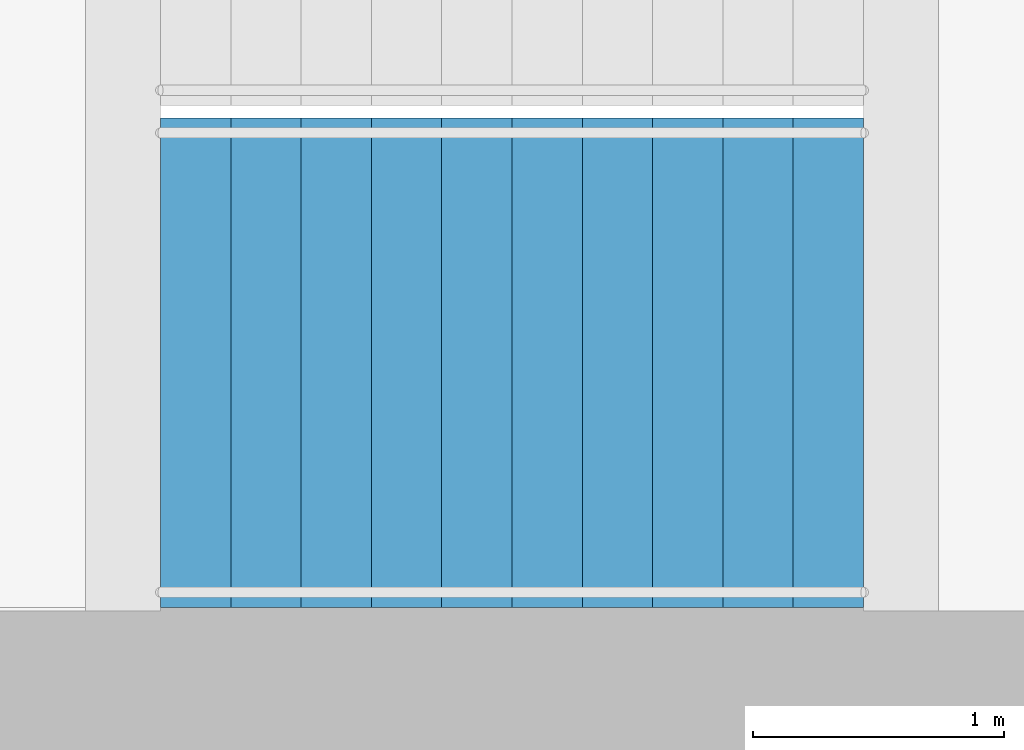
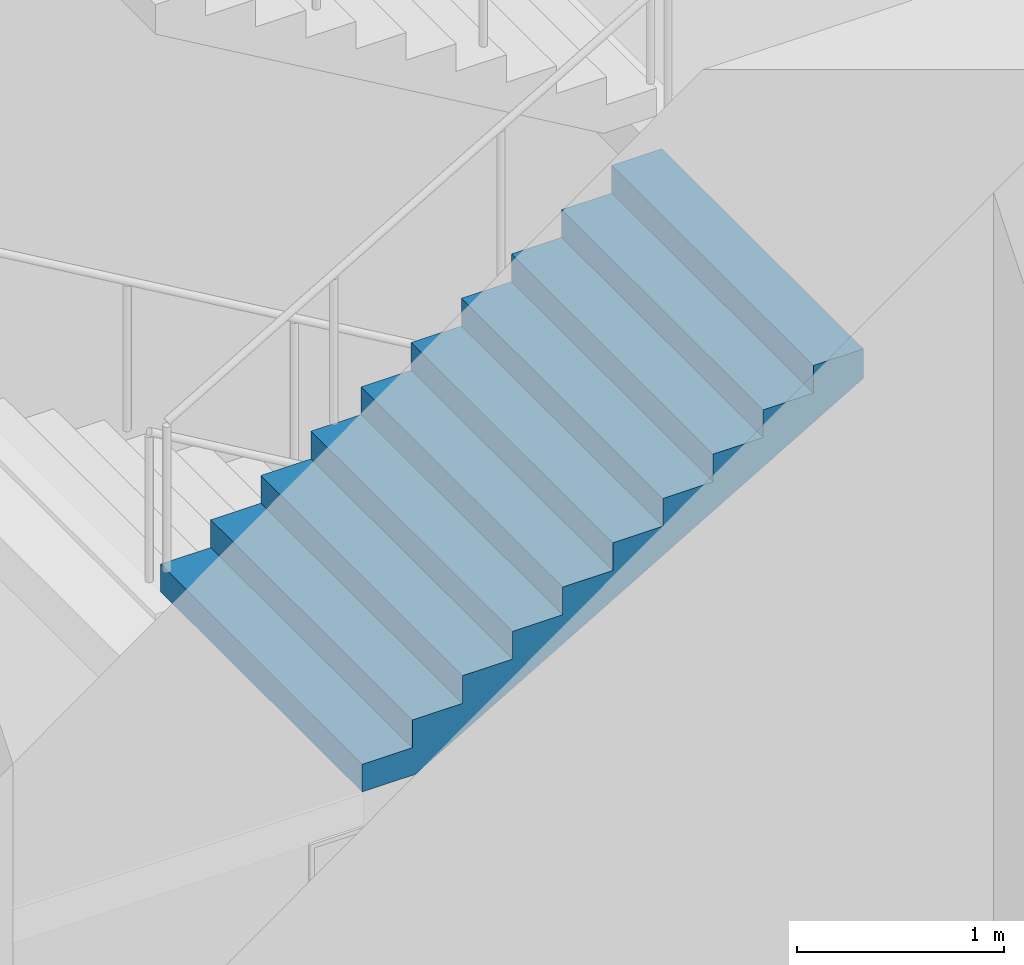
# One storey, part 17 of 24: 1 stair flight, 1 element without a shape of its own.
"""IFC4 building model written with IfcOpenShell, lengths in metres."""

from ifc_helpers import new_model, si_unit, direction, frame, origin, place, context, subcontext, project, spatial, triangles, material, type_object, element, aggregate, save


model = new_model("IFC4")

# Units and contexts
model_context = context("Model", 3, precision=1e-05, world=origin(), true_north=direction((0.0, 1.0)))
body_context = subcontext(model_context, "Body", "Model", "MODEL_VIEW")
ifc_project = project(units=[si_unit("LENGTHUNIT", "METRE"), si_unit("AREAUNIT", "SQUARE_METRE"), si_unit("VOLUMEUNIT", "CUBIC_METRE"), si_unit("PLANEANGLEUNIT", "RADIAN"), si_unit("MASSUNIT", "GRAM", prefix="KILO")], contexts=[model_context])

# Site, building, storey
site_placement = place(None, origin())
site = spatial("IfcSite", under=ifc_project, at=site_placement, CompositionType="ELEMENT")
building_placement = place(site_placement, origin())
building = spatial("IfcBuilding", under=site, at=building_placement, Name="Orbita Commons", CompositionType="ELEMENT")
storey_placement = place(building_placement, frame((0.0, 0.0, 68.949951171875)))
storey = spatial("IfcBuildingStorey", under=building, at=storey_placement, Name="L17", CompositionType="ELEMENT", Elevation=68.949951171875)

# Stair, stair flight
ifc_material_1 = material(Name="Precast concrete C40/50", Category="concrete")
stair_type = type_object("IfcStairType", Name="Exit stair S1 4 flights 11 risers 164", PredefinedType="HALF_TURN_STAIR", material=ifc_material_1)
stair_placement = place(storey_placement, origin())
stair = element("IfcStair", 1, at=stair_placement, inside=storey, type_object=stair_type, Name="Exit stair S1 L17", PredefinedType="HALF_TURN_STAIR")
ifc_material_2 = material(Name="Precast concrete C40/50", Category="concrete")
stair_flight_type = type_object("IfcStairFlightType", Name="Stair flight 11 risers 164 x 280", PredefinedType="STRAIGHT", material=ifc_material_2)
stair_flight_placement = place(storey_placement, frame((20.449951171875, 27.27490234375, 3.60009765625), z_axis=(0.0, 0.0, 1.0), x_axis=(1.0, 0.0, 0.0)))
stair_flight = element("IfcStairFlight", 2, at=stair_flight_placement, type_object=stair_flight_type, Name="S1 flight 3", NumberOfRisers=11, NumberOfTreads=10, PredefinedType="STRAIGHT", RiserHeight=0.163636364, TreadLength=0.28, context=body_context, shape_type="Tessellation", body=[
    triangles([(0.0, 0.974976, 0.0), (0.0, 0.974976, 0.020455), (0.0, 0.81248, 0.020455), (0.0, 0.81248, 0.0), (0.0, 0.649984, 0.020455), (0.0, 0.649984, 0.0), (0.0, 0.487488, 0.020455), (0.0, 0.487488, 0.0), (0.0, 0.324992, 0.020455), (0.0, 0.324992, 0.0), (0.0, 0.162496, 0.020455), (0.0, 0.162496, 0.0), (0.0, 0.0, 0.020455), (0.0, 0.0, 0.0), (0.0, -0.162496, 0.020455), (0.0, -0.162496, 0.0), (0.0, -0.324992, 0.020455), (0.0, -0.324992, 0.0), (0.0, -0.487488, 0.020455), (0.0, -0.487488, 0.0), (0.0, -0.649984, 0.020455), (0.0, -0.649984, 0.0), (0.0, -0.81248, 0.020455), (0.0, -0.81248, 0.0), (0.0, -0.974976, 0.020455), (0.0, -0.974976, 0.0), (0.0, 0.974976, 0.040909), (0.0, 0.81248, 0.040909), (0.0, 0.649984, 0.040909), (0.0, 0.487488, 0.040909), (0.0, 0.324992, 0.040909), (0.0, 0.162496, 0.040909), (0.0, 0.0, 0.040909), (0.0, -0.162496, 0.040909), (0.0, -0.324992, 0.040909), (0.0, -0.487488, 0.040909), (0.0, -0.649984, 0.040909), (0.0, -0.81248, 0.040909), (0.0, -0.974976, 0.040909), (0.0, 0.974976, 0.061364), (0.0, 0.81248, 0.061364), (0.0, 0.649984, 0.061364), (0.0, 0.487488, 0.061364), (0.0, 0.324992, 0.061364), (0.0, 0.162496, 0.061364), (0.0, 0.0, 0.061364), (0.0, -0.162496, 0.061364), (0.0, -0.324992, 0.061364), (0.0, -0.487488, 0.061364), (0.0, -0.649984, 0.061364), (0.0, -0.81248, 0.061364), (0.0, -0.974976, 0.061364), (0.0, 0.974976, 0.081818), (0.0, 0.81248, 0.081818), (0.0, 0.649984, 0.081818), (0.0, 0.487488, 0.081818), (0.0, 0.324992, 0.081818), (0.0, 0.162496, 0.081818), (0.0, 0.0, 0.081818), (0.0, -0.162496, 0.081818), (0.0, -0.324992, 0.081818), (0.0, -0.487488, 0.081818), (0.0, -0.649984, 0.081818), (0.0, -0.81248, 0.081818), (0.0, -0.974976, 0.081818), (0.0, 0.974976, 0.102273), (0.0, 0.81248, 0.102273), (0.0, 0.649984, 0.102273), (0.0, 0.487488, 0.102273), (0.0, 0.324992, 0.102273), (0.0, 0.162496, 0.102273), (0.0, 0.0, 0.102273), (0.0, -0.162496, 0.102273), (0.0, -0.324992, 0.102273), (0.0, -0.487488, 0.102273), (0.0, -0.649984, 0.102273), (0.0, -0.81248, 0.102273), (0.0, -0.974976, 0.102273), (0.0, 0.974976, 0.122727), (0.0, 0.81248, 0.122727), (0.0, 0.649984, 0.122727), (0.0, 0.487488, 0.122727), (0.0, 0.324992, 0.122727), (0.0, 0.162496, 0.122727), (0.0, 0.0, 0.122727), (0.0, -0.162496, 0.122727), (0.0, -0.324992, 0.122727), (0.0, -0.487488, 0.122727), (0.0, -0.649984, 0.122727), (0.0, -0.81248, 0.122727), (0.0, -0.974976, 0.122727), (0.0, 0.974976, 0.143182), (0.0, 0.81248, 0.143182), (0.0, 0.649984, 0.143182), (0.0, 0.487488, 0.143182), (0.0, 0.324992, 0.143182), (0.0, 0.162496, 0.143182), (0.0, 0.0, 0.143182), (0.0, -0.162496, 0.143182), (0.0, -0.324992, 0.143182), (0.0, -0.487488, 0.143182), (0.0, -0.649984, 0.143182), (0.0, -0.81248, 0.143182), (0.0, -0.974976, 0.143182), (0.0, 0.974976, 0.163636), (0.0, 0.81248, 0.163636), (0.0, 0.649984, 0.163636), (0.0, 0.487488, 0.163636), (0.0, 0.324992, 0.163636), (0.0, 0.162496, 0.163636), (0.0, 0.0, 0.163636), (0.0, -0.162496, 0.163636), (0.0, -0.324992, 0.163636), (0.0, -0.487488, 0.163636), (0.0, -0.649984, 0.163636), (0.0, -0.81248, 0.163636), (0.0, -0.974976, 0.163636), (0.28, 0.974976, 0.163636), (0.28, 0.81248, 0.163636), (0.28, 0.649984, 0.163636), (0.28, 0.487488, 0.163636), (0.28, 0.324992, 0.163636), (0.28, 0.162496, 0.163636), (0.28, 0.0, 0.163636), (0.28, -0.162496, 0.163636), (0.28, -0.324992, 0.163636), (0.28, -0.487488, 0.163636), (0.28, -0.649984, 0.163636), (0.28, -0.81248, 0.163636), (0.28, -0.974976, 0.163636), (0.28, 0.974976, 0.327273), (0.28, 0.81248, 0.327273), (0.28, 0.649984, 0.327273), (0.28, 0.487488, 0.327273), (0.28, 0.324992, 0.327273), (0.28, 0.162496, 0.327273), (0.28, 0.0, 0.327273), (0.28, -0.162496, 0.327273), (0.28, -0.324992, 0.327273), (0.28, -0.487488, 0.327273), (0.28, -0.649984, 0.327273), (0.28, -0.81248, 0.327273), (0.28, -0.974976, 0.327273), (0.56, 0.974976, 0.327273), (0.56, 0.81248, 0.327273), (0.56, 0.649984, 0.327273), (0.56, 0.487488, 0.327273), (0.56, 0.324992, 0.327273), (0.56, 0.162496, 0.327273), (0.56, 0.0, 0.327273), (0.56, -0.162496, 0.327273), (0.56, -0.324992, 0.327273), (0.56, -0.487488, 0.327273), (0.56, -0.649984, 0.327273), (0.56, -0.81248, 0.327273), (0.56, -0.974976, 0.327273), (0.56, 0.974976, 0.490909), (0.56, 0.81248, 0.490909), (0.56, 0.649984, 0.490909), (0.56, 0.487488, 0.490909), (0.56, 0.324992, 0.490909), (0.56, 0.162496, 0.490909), (0.56, 0.0, 0.490909), (0.56, -0.162496, 0.490909), (0.56, -0.324992, 0.490909), (0.56, -0.487488, 0.490909), (0.56, -0.649984, 0.490909), (0.56, -0.81248, 0.490909), (0.56, -0.974976, 0.490909), (0.84, 0.974976, 0.490909), (0.84, 0.81248, 0.490909), (0.84, 0.649984, 0.490909), (0.84, 0.487488, 0.490909), (0.84, 0.324992, 0.490909), (0.84, 0.162496, 0.490909), (0.84, 0.0, 0.490909), (0.84, -0.162496, 0.490909), (0.84, -0.324992, 0.490909), (0.84, -0.487488, 0.490909), (0.84, -0.649984, 0.490909), (0.84, -0.81248, 0.490909), (0.84, -0.974976, 0.490909), (0.84, 0.974976, 0.654545), (0.84, 0.81248, 0.654545), (0.84, 0.649984, 0.654545), (0.84, 0.487488, 0.654545), (0.84, 0.324992, 0.654545), (0.84, 0.162496, 0.654545), (0.84, 0.0, 0.654545), (0.84, -0.162496, 0.654545), (0.84, -0.324992, 0.654545), (0.84, -0.487488, 0.654545), (0.84, -0.649984, 0.654545), (0.84, -0.81248, 0.654545), (0.84, -0.974976, 0.654545), (1.12, 0.974976, 0.654545), (1.12, 0.81248, 0.654545), (1.12, 0.649984, 0.654545), (1.12, 0.487488, 0.654545), (1.12, 0.324992, 0.654545), (1.12, 0.162496, 0.654545), (1.12, 0.0, 0.654545), (1.12, -0.162496, 0.654545), (1.12, -0.324992, 0.654545), (1.12, -0.487488, 0.654545), (1.12, -0.649984, 0.654545), (1.12, -0.81248, 0.654545), (1.12, -0.974976, 0.654545), (1.12, 0.974976, 0.818182), (1.12, 0.81248, 0.818182), (1.12, 0.649984, 0.818182), (1.12, 0.487488, 0.818182), (1.12, 0.324992, 0.818182), (1.12, 0.162496, 0.818182), (1.12, 0.0, 0.818182), (1.12, -0.162496, 0.818182), (1.12, -0.324992, 0.818182), (1.12, -0.487488, 0.818182), (1.12, -0.649984, 0.818182), (1.12, -0.81248, 0.818182), (1.12, -0.974976, 0.818182), (1.4, 0.974976, 0.818182), (1.4, 0.81248, 0.818182), (1.4, 0.649984, 0.818182), (1.4, 0.487488, 0.818182), (1.4, 0.324992, 0.818182), (1.4, 0.162496, 0.818182), (1.4, 0.0, 0.818182), (1.4, -0.162496, 0.818182), (1.4, -0.324992, 0.818182), (1.4, -0.487488, 0.818182), (1.4, -0.649984, 0.818182), (1.4, -0.81248, 0.818182), (1.4, -0.974976, 0.818182), (1.4, 0.974976, 0.981818), (1.4, 0.81248, 0.981818), (1.4, 0.649984, 0.981818), (1.4, 0.487488, 0.981818), (1.4, 0.324992, 0.981818), (1.4, 0.162496, 0.981818), (1.4, 0.0, 0.981818), (1.4, -0.162496, 0.981818), (1.4, -0.324992, 0.981818), (1.4, -0.487488, 0.981818), (1.4, -0.649984, 0.981818), (1.4, -0.81248, 0.981818), (1.4, -0.974976, 0.981818), (1.68, 0.974976, 0.981818), (1.68, 0.81248, 0.981818), (1.68, 0.649984, 0.981818), (1.68, 0.487488, 0.981818), (1.68, 0.324992, 0.981818), (1.68, 0.162496, 0.981818), (1.68, 0.0, 0.981818), (1.68, -0.162496, 0.981818), (1.68, -0.324992, 0.981818), (1.68, -0.487488, 0.981818), (1.68, -0.649984, 0.981818), (1.68, -0.81248, 0.981818), (1.68, -0.974976, 0.981818), (1.68, 0.974976, 1.145455), (1.68, 0.81248, 1.145455), (1.68, 0.649984, 1.145455), (1.68, 0.487488, 1.145455), (1.68, 0.324992, 1.145455), (1.68, 0.162496, 1.145455), (1.68, 0.0, 1.145455), (1.68, -0.162496, 1.145455), (1.68, -0.324992, 1.145455), (1.68, -0.487488, 1.145455), (1.68, -0.649984, 1.145455), (1.68, -0.81248, 1.145455), (1.68, -0.974976, 1.145455), (1.96, 0.974976, 1.145455), (1.96, 0.81248, 1.145455), (1.96, 0.649984, 1.145455), (1.96, 0.487488, 1.145455), (1.96, 0.324992, 1.145455), (1.96, 0.162496, 1.145455), (1.96, 0.0, 1.145455), (1.96, -0.162496, 1.145455), (1.96, -0.324992, 1.145455), (1.96, -0.487488, 1.145455), (1.96, -0.649984, 1.145455), (1.96, -0.81248, 1.145455), (1.96, -0.974976, 1.145455), (1.96, 0.974976, 1.309091), (1.96, 0.81248, 1.309091), (1.96, 0.649984, 1.309091), (1.96, 0.487488, 1.309091), (1.96, 0.324992, 1.309091), (1.96, 0.162496, 1.309091), (1.96, 0.0, 1.309091), (1.96, -0.162496, 1.309091), (1.96, -0.324992, 1.309091), (1.96, -0.487488, 1.309091), (1.96, -0.649984, 1.309091), (1.96, -0.81248, 1.309091), (1.96, -0.974976, 1.309091), (2.24, 0.974976, 1.309091), (2.24, 0.81248, 1.309091), (2.24, 0.649984, 1.309091), (2.24, 0.487488, 1.309091), (2.24, 0.324992, 1.309091), (2.24, 0.162496, 1.309091), (2.24, 0.0, 1.309091), (2.24, -0.162496, 1.309091), (2.24, -0.324992, 1.309091), (2.24, -0.487488, 1.309091), (2.24, -0.649984, 1.309091), (2.24, -0.81248, 1.309091), (2.24, -0.974976, 1.309091), (2.24, 0.974976, 1.472727), (2.24, 0.81248, 1.472727), (2.24, 0.649984, 1.472727), (2.24, 0.487488, 1.472727), (2.24, 0.324992, 1.472727), (2.24, 0.162496, 1.472727), (2.24, 0.0, 1.472727), (2.24, -0.162496, 1.472727), (2.24, -0.324992, 1.472727), (2.24, -0.487488, 1.472727), (2.24, -0.649984, 1.472727), (2.24, -0.81248, 1.472727), (2.24, -0.974976, 1.472727), (2.52, 0.974976, 1.472727), (2.52, 0.81248, 1.472727), (2.52, 0.649984, 1.472727), (2.52, 0.487488, 1.472727), (2.52, 0.324992, 1.472727), (2.52, 0.162496, 1.472727), (2.52, 0.0, 1.472727), (2.52, -0.162496, 1.472727), (2.52, -0.324992, 1.472727), (2.52, -0.487488, 1.472727), (2.52, -0.649984, 1.472727), (2.52, -0.81248, 1.472727), (2.52, -0.974976, 1.472727), (2.52, 0.974976, 1.636364), (2.52, 0.81248, 1.636364), (2.52, 0.649984, 1.636364), (2.52, 0.487488, 1.636364), (2.52, 0.324992, 1.636364), (2.52, 0.162496, 1.636364), (2.52, 0.0, 1.636364), (2.52, -0.162496, 1.636364), (2.52, -0.324992, 1.636364), (2.52, -0.487488, 1.636364), (2.52, -0.649984, 1.636364), (2.52, -0.81248, 1.636364), (2.52, -0.974976, 1.636364), (2.8, 0.974976, 1.636364), (2.8, 0.81248, 1.636364), (2.8, 0.649984, 1.636364), (2.8, 0.487488, 1.636364), (2.8, 0.324992, 1.636364), (2.8, 0.162496, 1.636364), (2.8, 0.0, 1.636364), (2.8, -0.162496, 1.636364), (2.8, -0.324992, 1.636364), (2.8, -0.487488, 1.636364), (2.8, -0.649984, 1.636364), (2.8, -0.81248, 1.636364), (2.8, -0.974976, 1.636364), (2.8, 0.974976, 1.614661), (2.8, 0.81248, 1.614661), (2.8, 0.649984, 1.614661), (2.8, 0.487488, 1.614661), (2.8, 0.324992, 1.614661), (2.8, 0.162496, 1.614661), (2.8, 0.0, 1.614661), (2.8, -0.162496, 1.614661), (2.8, -0.324992, 1.614661), (2.8, -0.487488, 1.614661), (2.8, -0.649984, 1.614661), (2.8, -0.81248, 1.614661), (2.8, -0.974976, 1.614661), (2.8, 0.974976, 1.592958), (2.8, 0.81248, 1.592958), (2.8, 0.649984, 1.592958), (2.8, 0.487488, 1.592958), (2.8, 0.324992, 1.592958), (2.8, 0.162496, 1.592958), (2.8, 0.0, 1.592958), (2.8, -0.162496, 1.592958), (2.8, -0.324992, 1.592958), (2.8, -0.487488, 1.592958), (2.8, -0.649984, 1.592958), (2.8, -0.81248, 1.592958), (2.8, -0.974976, 1.592958), (2.8, 0.974976, 1.571255), (2.8, 0.81248, 1.571255), (2.8, 0.649984, 1.571255), (2.8, 0.487488, 1.571255), (2.8, 0.324992, 1.571255), (2.8, 0.162496, 1.571255), (2.8, 0.0, 1.571255), (2.8, -0.162496, 1.571255), (2.8, -0.324992, 1.571255), (2.8, -0.487488, 1.571255), (2.8, -0.649984, 1.571255), (2.8, -0.81248, 1.571255), (2.8, -0.974976, 1.571255), (2.8, 0.974976, 1.549551), (2.8, 0.81248, 1.549551), (2.8, 0.649984, 1.549551), (2.8, 0.487488, 1.549551), (2.8, 0.324992, 1.549551), (2.8, 0.162496, 1.549551), (2.8, 0.0, 1.549551), (2.8, -0.162496, 1.549551), (2.8, -0.324992, 1.549551), (2.8, -0.487488, 1.549551), (2.8, -0.649984, 1.549551), (2.8, -0.81248, 1.549551), (2.8, -0.974976, 1.549551), (2.8, 0.974976, 1.527848), (2.8, 0.81248, 1.527848), (2.8, 0.649984, 1.527848), (2.8, 0.487488, 1.527848), (2.8, 0.324992, 1.527848), (2.8, 0.162496, 1.527848), (2.8, 0.0, 1.527848), (2.8, -0.162496, 1.527848), (2.8, -0.324992, 1.527848), (2.8, -0.487488, 1.527848), (2.8, -0.649984, 1.527848), (2.8, -0.81248, 1.527848), (2.8, -0.974976, 1.527848), (2.8, 0.974976, 1.506145), (2.8, 0.81248, 1.506145), (2.8, 0.649984, 1.506145), (2.8, 0.487488, 1.506145), (2.8, 0.324992, 1.506145), (2.8, 0.162496, 1.506145), (2.8, 0.0, 1.506145), (2.8, -0.162496, 1.506145), (2.8, -0.324992, 1.506145), (2.8, -0.487488, 1.506145), (2.8, -0.649984, 1.506145), (2.8, -0.81248, 1.506145), (2.8, -0.974976, 1.506145), (2.8, 0.974976, 1.484442), (2.8, 0.81248, 1.484442), (2.8, 0.649984, 1.484442), (2.8, 0.487488, 1.484442), (2.8, 0.324992, 1.484442), (2.8, 0.162496, 1.484442), (2.8, 0.0, 1.484442), (2.8, -0.162496, 1.484442), (2.8, -0.324992, 1.484442), (2.8, -0.487488, 1.484442), (2.8, -0.649984, 1.484442), (2.8, -0.81248, 1.484442), (2.8, -0.974976, 1.484442), (2.8, 0.974976, 1.462739), (2.8, 0.81248, 1.462739), (2.8, 0.649984, 1.462739), (2.8, 0.487488, 1.462739), (2.8, 0.324992, 1.462739), (2.8, 0.162496, 1.462739), (2.8, 0.0, 1.462739), (2.8, -0.162496, 1.462739), (2.8, -0.324992, 1.462739), (2.8, -0.487488, 1.462739), (2.8, -0.649984, 1.462739), (2.8, -0.81248, 1.462739), (2.8, -0.974976, 1.462739), (0.29709, 0.974976, 0.0), (0.29709, 0.81248, 0.0), (0.29709, 0.649984, 0.0), (0.29709, 0.487488, 0.0), (0.29709, 0.324992, 0.0), (0.29709, 0.162496, 0.0), (0.29709, 0.0, 0.0), (0.29709, -0.162496, 0.0), (0.29709, -0.324992, 0.0), (0.29709, -0.487488, 0.0), (0.29709, -0.649984, 0.0), (0.29709, -0.81248, 0.0), (0.29709, -0.974976, 0.0)], [[3, 2, 1], [4, 3, 1], [5, 3, 4], [6, 5, 4], [7, 5, 6], [8, 7, 6], [9, 7, 8], [10, 9, 8], [11, 9, 10], [12, 11, 10], [13, 11, 12], [14, 13, 12], [15, 13, 14], [16, 15, 14], [17, 15, 16], [18, 17, 16], [19, 17, 18], [20, 19, 18], [21, 19, 20], [22, 21, 20], [23, 21, 22], [24, 23, 22], [25, 23, 24], [26, 25, 24], [28, 27, 2], [3, 28, 2], [29, 28, 3], [5, 29, 3], [30, 29, 5], [7, 30, 5], [31, 30, 7], [9, 31, 7], [32, 31, 9], [11, 32, 9], [33, 32, 11], [13, 33, 11], [34, 33, 13], [15, 34, 13], [35, 34, 15], [17, 35, 15], [36, 35, 17], [19, 36, 17], [37, 36, 19], [21, 37, 19], [38, 37, 21], [23, 38, 21], [39, 38, 23], [25, 39, 23], [41, 40, 27], [28, 41, 27], [42, 41, 28], [29, 42, 28], [43, 42, 29], [30, 43, 29], [44, 43, 30], [31, 44, 30], [45, 44, 31], [32, 45, 31], [46, 45, 32], [33, 46, 32], [47, 46, 33], [34, 47, 33], [48, 47, 34], [35, 48, 34], [49, 48, 35], [36, 49, 35], [50, 49, 36], [37, 50, 36], [51, 50, 37], [38, 51, 37], [52, 51, 38], [39, 52, 38], [54, 53, 40], [41, 54, 40], [55, 54, 41], [42, 55, 41], [56, 55, 42], [43, 56, 42], [57, 56, 43], [44, 57, 43], [58, 57, 44], [45, 58, 44], [59, 58, 45], [46, 59, 45], [60, 59, 46], [47, 60, 46], [61, 60, 47], [48, 61, 47], [62, 61, 48], [49, 62, 48], [63, 62, 49], [50, 63, 49], [64, 63, 50], [51, 64, 50], [65, 64, 51], [52, 65, 51], [67, 66, 53], [54, 67, 53], [68, 67, 54], [55, 68, 54], [69, 68, 55], [56, 69, 55], [70, 69, 56], [57, 70, 56], [71, 70, 57], [58, 71, 57], [72, 71, 58], [59, 72, 58], [73, 72, 59], [60, 73, 59], [74, 73, 60], [61, 74, 60], [75, 74, 61], [62, 75, 61], [76, 75, 62], [63, 76, 62], [77, 76, 63], [64, 77, 63], [78, 77, 64], [65, 78, 64], [80, 79, 66], [67, 80, 66], [81, 80, 67], [68, 81, 67], [82, 81, 68], [69, 82, 68], [83, 82, 69], [70, 83, 69], [84, 83, 70], [71, 84, 70], [85, 84, 71], [72, 85, 71], [86, 85, 72], [73, 86, 72], [87, 86, 73], [74, 87, 73], [88, 87, 74], [75, 88, 74], [89, 88, 75], [76, 89, 75], [90, 89, 76], [77, 90, 76], [91, 90, 77], [78, 91, 77], [93, 92, 79], [80, 93, 79], [94, 93, 80], [81, 94, 80], [95, 94, 81], [82, 95, 81], [96, 95, 82], [83, 96, 82], [97, 96, 83], [84, 97, 83], [98, 97, 84], [85, 98, 84], [99, 98, 85], [86, 99, 85], [100, 99, 86], [87, 100, 86], [101, 100, 87], [88, 101, 87], [102, 101, 88], [89, 102, 88], [103, 102, 89], [90, 103, 89], [104, 103, 90], [91, 104, 90], [106, 105, 92], [93, 106, 92], [107, 106, 93], [94, 107, 93], [108, 107, 94], [95, 108, 94], [109, 108, 95], [96, 109, 95], [110, 109, 96], [97, 110, 96], [111, 110, 97], [98, 111, 97], [112, 111, 98], [99, 112, 98], [113, 112, 99], [100, 113, 99], [114, 113, 100], [101, 114, 100], [115, 114, 101], [102, 115, 101], [116, 115, 102], [103, 116, 102], [117, 116, 103], [104, 117, 103], [119, 118, 105], [106, 119, 105], [120, 119, 106], [107, 120, 106], [121, 120, 107], [108, 121, 107], [122, 121, 108], [109, 122, 108], [123, 122, 109], [110, 123, 109], [124, 123, 110], [111, 124, 110], [125, 124, 111], [112, 125, 111], [126, 125, 112], [113, 126, 112], [127, 126, 113], [114, 127, 113], [128, 127, 114], [115, 128, 114], [129, 128, 115], [116, 129, 115], [130, 129, 116], [117, 130, 116], [132, 131, 118], [119, 132, 118], [133, 132, 119], [120, 133, 119], [134, 133, 120], [121, 134, 120], [135, 134, 121], [122, 135, 121], [136, 135, 122], [123, 136, 122], [137, 136, 123], [124, 137, 123], [138, 137, 124], [125, 138, 124], [139, 138, 125], [126, 139, 125], [140, 139, 126], [127, 140, 126], [141, 140, 127], [128, 141, 127], [142, 141, 128], [129, 142, 128], [143, 142, 129], [130, 143, 129], [145, 144, 131], [132, 145, 131], [146, 145, 132], [133, 146, 132], [147, 146, 133], [134, 147, 133], [148, 147, 134], [135, 148, 134], [149, 148, 135], [136, 149, 135], [150, 149, 136], [137, 150, 136], [151, 150, 137], [138, 151, 137], [152, 151, 138], [139, 152, 138], [153, 152, 139], [140, 153, 139], [154, 153, 140], [141, 154, 140], [155, 154, 141], [142, 155, 141], [156, 155, 142], [143, 156, 142], [158, 157, 144], [145, 158, 144], [159, 158, 145], [146, 159, 145], [160, 159, 146], [147, 160, 146], [161, 160, 147], [148, 161, 147], [162, 161, 148], [149, 162, 148], [163, 162, 149], [150, 163, 149], [164, 163, 150], [151, 164, 150], [165, 164, 151], [152, 165, 151], [166, 165, 152], [153, 166, 152], [167, 166, 153], [154, 167, 153], [168, 167, 154], [155, 168, 154], [169, 168, 155], [156, 169, 155], [171, 170, 157], [158, 171, 157], [172, 171, 158], [159, 172, 158], [173, 172, 159], [160, 173, 159], [174, 173, 160], [161, 174, 160], [175, 174, 161], [162, 175, 161], [176, 175, 162], [163, 176, 162], [177, 176, 163], [164, 177, 163], [178, 177, 164], [165, 178, 164], [179, 178, 165], [166, 179, 165], [180, 179, 166], [167, 180, 166], [181, 180, 167], [168, 181, 167], [182, 181, 168], [169, 182, 168], [184, 183, 170], [171, 184, 170], [185, 184, 171], [172, 185, 171], [186, 185, 172], [173, 186, 172], [187, 186, 173], [174, 187, 173], [188, 187, 174], [175, 188, 174], [189, 188, 175], [176, 189, 175], [190, 189, 176], [177, 190, 176], [191, 190, 177], [178, 191, 177], [192, 191, 178], [179, 192, 178], [193, 192, 179], [180, 193, 179], [194, 193, 180], [181, 194, 180], [195, 194, 181], [182, 195, 181], [197, 196, 183], [184, 197, 183], [198, 197, 184], [185, 198, 184], [199, 198, 185], [186, 199, 185], [200, 199, 186], [187, 200, 186], [201, 200, 187], [188, 201, 187], [202, 201, 188], [189, 202, 188], [203, 202, 189], [190, 203, 189], [204, 203, 190], [191, 204, 190], [205, 204, 191], [192, 205, 191], [206, 205, 192], [193, 206, 192], [207, 206, 193], [194, 207, 193], [208, 207, 194], [195, 208, 194], [210, 209, 196], [197, 210, 196], [211, 210, 197], [198, 211, 197], [212, 211, 198], [199, 212, 198], [213, 212, 199], [200, 213, 199], [214, 213, 200], [201, 214, 200], [215, 214, 201], [202, 215, 201], [216, 215, 202], [203, 216, 202], [217, 216, 203], [204, 217, 203], [218, 217, 204], [205, 218, 204], [219, 218, 205], [206, 219, 205], [220, 219, 206], [207, 220, 206], [221, 220, 207], [208, 221, 207], [223, 222, 209], [210, 223, 209], [224, 223, 210], [211, 224, 210], [225, 224, 211], [212, 225, 211], [226, 225, 212], [213, 226, 212], [227, 226, 213], [214, 227, 213], [228, 227, 214], [215, 228, 214], [229, 228, 215], [216, 229, 215], [230, 229, 216], [217, 230, 216], [231, 230, 217], [218, 231, 217], [232, 231, 218], [219, 232, 218], [233, 232, 219], [220, 233, 219], [234, 233, 220], [221, 234, 220], [236, 235, 222], [223, 236, 222], [237, 236, 223], [224, 237, 223], [238, 237, 224], [225, 238, 224], [239, 238, 225], [226, 239, 225], [240, 239, 226], [227, 240, 226], [241, 240, 227], [228, 241, 227], [242, 241, 228], [229, 242, 228], [243, 242, 229], [230, 243, 229], [244, 243, 230], [231, 244, 230], [245, 244, 231], [232, 245, 231], [246, 245, 232], [233, 246, 232], [247, 246, 233], [234, 247, 233], [249, 248, 235], [236, 249, 235], [250, 249, 236], [237, 250, 236], [251, 250, 237], [238, 251, 237], [252, 251, 238], [239, 252, 238], [253, 252, 239], [240, 253, 239], [254, 253, 240], [241, 254, 240], [255, 254, 241], [242, 255, 241], [256, 255, 242], [243, 256, 242], [257, 256, 243], [244, 257, 243], [258, 257, 244], [245, 258, 244], [259, 258, 245], [246, 259, 245], [260, 259, 246], [247, 260, 246], [262, 261, 248], [249, 262, 248], [263, 262, 249], [250, 263, 249], [264, 263, 250], [251, 264, 250], [265, 264, 251], [252, 265, 251], [266, 265, 252], [253, 266, 252], [267, 266, 253], [254, 267, 253], [268, 267, 254], [255, 268, 254], [269, 268, 255], [256, 269, 255], [270, 269, 256], [257, 270, 256], [271, 270, 257], [258, 271, 257], [272, 271, 258], [259, 272, 258], [273, 272, 259], [260, 273, 259], [275, 274, 261], [262, 275, 261], [276, 275, 262], [263, 276, 262], [277, 276, 263], [264, 277, 263], [278, 277, 264], [265, 278, 264], [279, 278, 265], [266, 279, 265], [280, 279, 266], [267, 280, 266], [281, 280, 267], [268, 281, 267], [282, 281, 268], [269, 282, 268], [283, 282, 269], [270, 283, 269], [284, 283, 270], [271, 284, 270], [285, 284, 271], [272, 285, 271], [286, 285, 272], [273, 286, 272], [288, 287, 274], [275, 288, 274], [289, 288, 275], [276, 289, 275], [290, 289, 276], [277, 290, 276], [291, 290, 277], [278, 291, 277], [292, 291, 278], [279, 292, 278], [293, 292, 279], [280, 293, 279], [294, 293, 280], [281, 294, 280], [295, 294, 281], [282, 295, 281], [296, 295, 282], [283, 296, 282], [297, 296, 283], [284, 297, 283], [298, 297, 284], [285, 298, 284], [299, 298, 285], [286, 299, 285], [301, 300, 287], [288, 301, 287], [302, 301, 288], [289, 302, 288], [303, 302, 289], [290, 303, 289], [304, 303, 290], [291, 304, 290], [305, 304, 291], [292, 305, 291], [306, 305, 292], [293, 306, 292], [307, 306, 293], [294, 307, 293], [308, 307, 294], [295, 308, 294], [309, 308, 295], [296, 309, 295], [310, 309, 296], [297, 310, 296], [311, 310, 297], [298, 311, 297], [312, 311, 298], [299, 312, 298], [314, 313, 300], [301, 314, 300], [315, 314, 301], [302, 315, 301], [316, 315, 302], [303, 316, 302], [317, 316, 303], [304, 317, 303], [318, 317, 304], [305, 318, 304], [319, 318, 305], [306, 319, 305], [320, 319, 306], [307, 320, 306], [321, 320, 307], [308, 321, 307], [322, 321, 308], [309, 322, 308], [323, 322, 309], [310, 323, 309], [324, 323, 310], [311, 324, 310], [325, 324, 311], [312, 325, 311], [327, 326, 313], [314, 327, 313], [328, 327, 314], [315, 328, 314], [329, 328, 315], [316, 329, 315], [330, 329, 316], [317, 330, 316], [331, 330, 317], [318, 331, 317], [332, 331, 318], [319, 332, 318], [333, 332, 319], [320, 333, 319], [334, 333, 320], [321, 334, 320], [335, 334, 321], [322, 335, 321], [336, 335, 322], [323, 336, 322], [337, 336, 323], [324, 337, 323], [338, 337, 324], [325, 338, 324], [340, 339, 326], [327, 340, 326], [341, 340, 327], [328, 341, 327], [342, 341, 328], [329, 342, 328], [343, 342, 329], [330, 343, 329], [344, 343, 330], [331, 344, 330], [345, 344, 331], [332, 345, 331], [346, 345, 332], [333, 346, 332], [347, 346, 333], [334, 347, 333], [348, 347, 334], [335, 348, 334], [349, 348, 335], [336, 349, 335], [350, 349, 336], [337, 350, 336], [351, 350, 337], [338, 351, 337], [353, 352, 339], [340, 353, 339], [354, 353, 340], [341, 354, 340], [355, 354, 341], [342, 355, 341], [356, 355, 342], [343, 356, 342], [357, 356, 343], [344, 357, 343], [358, 357, 344], [345, 358, 344], [359, 358, 345], [346, 359, 345], [360, 359, 346], [347, 360, 346], [361, 360, 347], [348, 361, 347], [362, 361, 348], [349, 362, 348], [363, 362, 349], [350, 363, 349], [364, 363, 350], [351, 364, 350], [366, 365, 352], [353, 366, 352], [367, 366, 353], [354, 367, 353], [368, 367, 354], [355, 368, 354], [369, 368, 355], [356, 369, 355], [370, 369, 356], [357, 370, 356], [371, 370, 357], [358, 371, 357], [372, 371, 358], [359, 372, 358], [373, 372, 359], [360, 373, 359], [374, 373, 360], [361, 374, 360], [375, 374, 361], [362, 375, 361], [376, 375, 362], [363, 376, 362], [377, 376, 363], [364, 377, 363], [379, 378, 365], [366, 379, 365], [380, 379, 366], [367, 380, 366], [381, 380, 367], [368, 381, 367], [382, 381, 368], [369, 382, 368], [383, 382, 369], [370, 383, 369], [384, 383, 370], [371, 384, 370], [385, 384, 371], [372, 385, 371], [386, 385, 372], [373, 386, 372], [387, 386, 373], [374, 387, 373], [388, 387, 374], [375, 388, 374], [389, 388, 375], [376, 389, 375], [390, 389, 376], [377, 390, 376], [392, 391, 378], [379, 392, 378], [393, 392, 379], [380, 393, 379], [394, 393, 380], [381, 394, 380], [395, 394, 381], [382, 395, 381], [396, 395, 382], [383, 396, 382], [397, 396, 383], [384, 397, 383], [398, 397, 384], [385, 398, 384], [399, 398, 385], [386, 399, 385], [400, 399, 386], [387, 400, 386], [401, 400, 387], [388, 401, 387], [402, 401, 388], [389, 402, 388], [403, 402, 389], [390, 403, 389], [405, 404, 391], [392, 405, 391], [406, 405, 392], [393, 406, 392], [407, 406, 393], [394, 407, 393], [408, 407, 394], [395, 408, 394], [409, 408, 395], [396, 409, 395], [410, 409, 396], [397, 410, 396], [411, 410, 397], [398, 411, 397], [412, 411, 398], [399, 412, 398], [413, 412, 399], [400, 413, 399], [414, 413, 400], [401, 414, 400], [415, 414, 401], [402, 415, 401], [416, 415, 402], [403, 416, 402], [418, 417, 404], [405, 418, 404], [419, 418, 405], [406, 419, 405], [420, 419, 406], [407, 420, 406], [421, 420, 407], [408, 421, 407], [422, 421, 408], [409, 422, 408], [423, 422, 409], [410, 423, 409], [424, 423, 410], [411, 424, 410], [425, 424, 411], [412, 425, 411], [426, 425, 412], [413, 426, 412], [427, 426, 413], [414, 427, 413], [428, 427, 414], [415, 428, 414], [429, 428, 415], [416, 429, 415], [431, 430, 417], [418, 431, 417], [432, 431, 418], [419, 432, 418], [433, 432, 419], [420, 433, 419], [434, 433, 420], [421, 434, 420], [435, 434, 421], [422, 435, 421], [436, 435, 422], [423, 436, 422], [437, 436, 423], [424, 437, 423], [438, 437, 424], [425, 438, 424], [439, 438, 425], [426, 439, 425], [440, 439, 426], [427, 440, 426], [441, 440, 427], [428, 441, 427], [442, 441, 428], [429, 442, 428], [444, 443, 430], [431, 444, 430], [445, 444, 431], [432, 445, 431], [446, 445, 432], [433, 446, 432], [447, 446, 433], [434, 447, 433], [448, 447, 434], [435, 448, 434], [449, 448, 435], [436, 449, 435], [450, 449, 436], [437, 450, 436], [451, 450, 437], [438, 451, 437], [452, 451, 438], [439, 452, 438], [453, 452, 439], [440, 453, 439], [454, 453, 440], [441, 454, 440], [455, 454, 441], [442, 455, 441], [457, 456, 443], [444, 457, 443], [458, 457, 444], [445, 458, 444], [459, 458, 445], [446, 459, 445], [460, 459, 446], [447, 460, 446], [461, 460, 447], [448, 461, 447], [462, 461, 448], [449, 462, 448], [463, 462, 449], [450, 463, 449], [464, 463, 450], [451, 464, 450], [465, 464, 451], [452, 465, 451], [466, 465, 452], [453, 466, 452], [467, 466, 453], [454, 467, 453], [468, 467, 454], [455, 468, 454], [470, 469, 456], [457, 470, 456], [471, 470, 457], [458, 471, 457], [472, 471, 458], [459, 472, 458], [473, 472, 459], [460, 473, 459], [474, 473, 460], [461, 474, 460], [475, 474, 461], [462, 475, 461], [476, 475, 462], [463, 476, 462], [477, 476, 463], [464, 477, 463], [478, 477, 464], [465, 478, 464], [479, 478, 465], [466, 479, 465], [480, 479, 466], [467, 480, 466], [481, 480, 467], [468, 481, 467], [4, 1, 469], [470, 4, 469], [6, 4, 470], [471, 6, 470], [8, 6, 471], [472, 8, 471], [10, 8, 472], [473, 10, 472], [12, 10, 473], [474, 12, 473], [14, 12, 474], [475, 14, 474], [16, 14, 475], [476, 16, 475], [18, 16, 476], [477, 18, 476], [20, 18, 477], [478, 20, 477], [22, 20, 478], [479, 22, 478], [24, 22, 479], [480, 24, 479], [26, 24, 480], [481, 26, 480], [456, 469, 1], [26, 481, 468], [443, 456, 1], [26, 468, 455], [430, 443, 1], [26, 455, 442], [417, 430, 1], [26, 442, 429], [404, 417, 1], [26, 429, 416], [391, 404, 1], [26, 416, 403], [378, 391, 1], [26, 403, 390], [365, 378, 1], [26, 390, 377], [339, 352, 365], [377, 364, 351], [326, 339, 365], [377, 351, 338], [300, 313, 326], [338, 325, 312], [300, 326, 365], [377, 338, 312], [274, 287, 300], [312, 299, 286], [274, 300, 365], [377, 312, 286], [248, 261, 274], [286, 273, 260], [248, 274, 365], [377, 286, 260], [222, 235, 248], [260, 247, 234], [222, 248, 365], [377, 260, 234], [196, 209, 222], [234, 221, 208], [196, 222, 365], [377, 234, 208], [170, 183, 196], [208, 195, 182], [170, 196, 365], [377, 208, 182], [144, 157, 170], [182, 169, 156], [144, 170, 365], [377, 182, 156], [118, 131, 144], [156, 143, 130], [118, 144, 365], [377, 156, 130], [118, 365, 1], [26, 377, 130], [92, 105, 118], [130, 117, 104], [79, 92, 118], [130, 104, 91], [66, 79, 118], [130, 91, 78], [53, 66, 118], [130, 78, 65], [40, 53, 118], [130, 65, 52], [27, 40, 118], [130, 52, 39], [2, 27, 118], [130, 39, 25], [1, 2, 118], [130, 25, 26]], closed=True),
])
aggregate(stair, [stair_flight])

save(model, "model.ifc")
